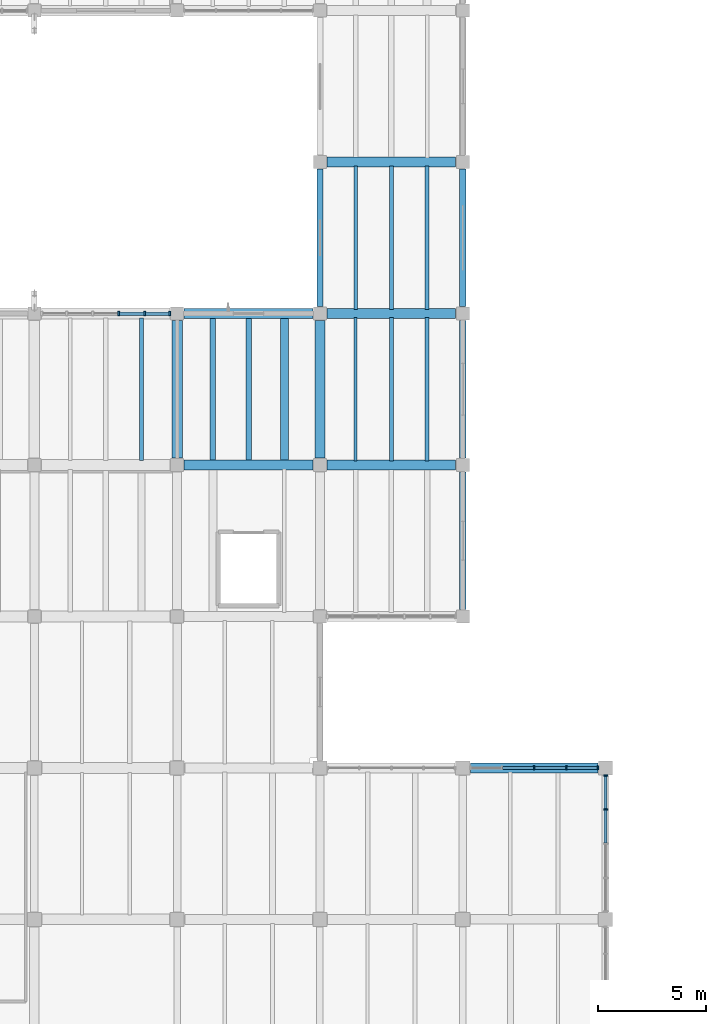
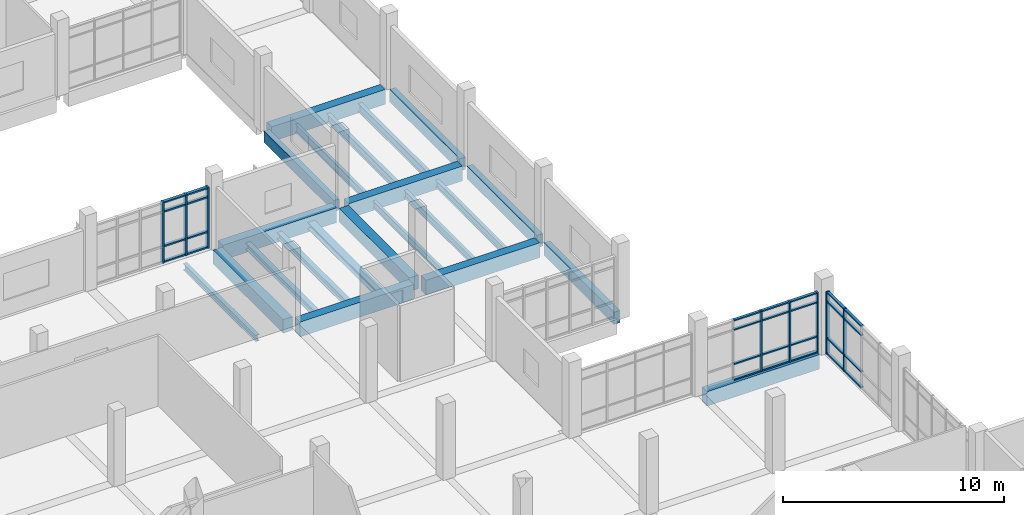
# One storey, part 21 of 68: 36 members, 22 beams, 3 elements without a shape of their own.
"""IFC4 building model written with IfcOpenShell, lengths in metres."""

from ifc_helpers import new_model, si_unit, direction, frame, origin, origin_2d, place, context, subcontext, project, spatial, rectangle, i_section, extrude, material, material_profile, profile_set, type_object, element, aggregate, save


model = new_model("IFC4")

# Units and contexts
model_context = context("Model", 3, precision=1e-05, world=origin(), true_north=direction((0.0, 1.0)))
body_context = subcontext(model_context, "Body", "Model", "MODEL_VIEW")
ifc_project = project(units=[si_unit("LENGTHUNIT", "METRE"), si_unit("AREAUNIT", "SQUARE_METRE"), si_unit("VOLUMEUNIT", "CUBIC_METRE"), si_unit("PLANEANGLEUNIT", "RADIAN"), si_unit("MASSUNIT", "GRAM", prefix="KILO")], contexts=[model_context])

# Site, building, storey
site_placement = place(None, origin())
site = spatial("IfcSite", under=ifc_project, at=site_placement, CompositionType="ELEMENT")
building_placement = place(site_placement, origin())
building = spatial("IfcBuilding", under=site, at=building_placement, Name="Ciguamira Faculty of Natural Sciences", CompositionType="ELEMENT")
storey_placement = place(building_placement, frame((0.0, 0.0, 4.199951171875)))
storey = spatial("IfcBuildingStorey", under=building, at=storey_placement, Name="L01", CompositionType="ELEMENT", Elevation=4.199951171875)

# Curtain wall, members
ifc_material_1 = material(Name="Anodized aluminium curtain wall", Category="aluminium")
curtain_wall_type_1 = type_object("IfcCurtainWallType", Name="CurtainWall_CW-11", PredefinedType="USERDEFINED", material=ifc_material_1)
curtain_wall_1_placement = place(storey_placement, origin())
curtain_wall_1 = element("IfcCurtainWall", 1, at=curtain_wall_1_placement, inside=storey, type_object=curtain_wall_type_1, Name="L01 unitised curtain wall 0035", ObjectType="UNITISED CURTAIN WALL", PredefinedType="USERDEFINED")
ifc_material_2 = material(Name="Anodized aluminium mullion", Category="aluminium")
ifc_material_profile_1 = material_profile(ifc_material_2, rectangle(XDim=0.070068359375, YDim=0.179931640625, at=origin_2d()), Name="ALU-MUL-70X180")
ifc_profile_set_1 = profile_set([ifc_material_profile_1], Name="Anodized aluminium mullion")
member_type_1 = type_object("IfcMemberType", Name="CWMullion_CWM-02", PredefinedType="MULLION", material=ifc_profile_set_1)
member_1_placement = place(storey_placement, frame((120.0, 38.0, 0.0), z_axis=(0.0, 0.0, 1.0), x_axis=(1.0, 0.0, 0.0)))
member_1 = element("IfcMember", 2, at=member_1_placement, type_object=member_type_1, Name="CW-11 mullion 3", PredefinedType="MULLION", context=body_context, shape_type="SweptSolid", body=[
    extrude(rectangle(XDim=0.070068359375, YDim=0.179931640625, at=origin_2d()), origin(), (0.0, 0.0, 1.0), 3.344970703125),
])
member_2_placement = place(storey_placement, frame((121.487548828125, 38.0, 0.0), z_axis=(0.0, 0.0, 1.0), x_axis=(1.0, 0.0, 0.0)))
member_2 = element("IfcMember", 3, at=member_2_placement, type_object=member_type_1, Name="CW-11 mullion 4", PredefinedType="MULLION", context=body_context, shape_type="SweptSolid", body=[
    extrude(rectangle(XDim=0.070068359375, YDim=0.179931640625, at=origin_2d()), origin(), (0.0, 0.0, 1.0), 3.344970703125),
])
member_3_placement = place(storey_placement, frame((122.93994140625, 38.0, 0.0), z_axis=(0.0, 0.0, 1.0), x_axis=(1.0, 0.0, 0.0)))
member_3 = element("IfcMember", 4, at=member_3_placement, type_object=member_type_1, Name="CW-11 mullion 5", PredefinedType="MULLION", context=body_context, shape_type="SweptSolid", body=[
    extrude(rectangle(XDim=0.070068359375, YDim=0.179931640625, at=origin_2d()), origin(), (0.0, 0.0, 1.0), 3.344970703125),
])

curtain_wall_type_2 = type_object("IfcCurtainWallType", Name="CurtainWall_CW-05", PredefinedType="USERDEFINED", material=ifc_material_1)
curtain_wall_2_placement = place(storey_placement, origin())
curtain_wall_2 = element("IfcCurtainWall", 5, at=curtain_wall_2_placement, inside=storey, type_object=curtain_wall_type_2, Name="L01 unitised curtain wall 0053", ObjectType="UNITISED CURTAIN WALL", PredefinedType="USERDEFINED")
member_4_placement = place(storey_placement, frame((123.300048828125, 36.08740234375, 0.0), z_axis=(0.0, 0.0, 1.0), x_axis=(0.0, 1.0, 0.0)))
member_4 = element("IfcMember", 6, at=member_4_placement, type_object=member_type_1, Name="CW-05 mullion 4", PredefinedType="MULLION", context=body_context, shape_type="SweptSolid", body=[
    extrude(rectangle(XDim=0.070068359375, YDim=0.179931640625, at=origin_2d()), origin(), (0.0, 0.0, 1.0), 3.465087890625),
])
member_5_placement = place(storey_placement, frame((123.300048828125, 37.639892578125, 0.0), z_axis=(0.0, 0.0, 1.0), x_axis=(0.0, 1.0, 0.0)))
member_5 = element("IfcMember", 7, at=member_5_placement, type_object=member_type_1, Name="CW-05 mullion 5", PredefinedType="MULLION", context=body_context, shape_type="SweptSolid", body=[
    extrude(rectangle(XDim=0.070068359375, YDim=0.179931640625, at=origin_2d()), origin(), (0.0, 0.0, 1.0), 3.465087890625),
])

curtain_wall_type_3 = type_object("IfcCurtainWallType", Name="CurtainWall_CW-03", PredefinedType="USERDEFINED", material=ifc_material_1)
curtain_wall_3_placement = place(storey_placement, origin())
curtain_wall_3 = element("IfcCurtainWall", 8, at=curtain_wall_3_placement, inside=storey, type_object=curtain_wall_type_3, Name="L01 unitised curtain wall 0039", ObjectType="UNITISED CURTAIN WALL", PredefinedType="USERDEFINED")
ifc_material_profile_2 = material_profile(ifc_material_2, rectangle(XDim=0.080078125, YDim=0.219970703125, at=origin_2d()), Name="ALU-MUL-80X220")
ifc_profile_set_2 = profile_set([ifc_material_profile_2], Name="Anodized aluminium mullion")
member_type_2 = type_object("IfcMemberType", Name="CWMullion_CWM-03", PredefinedType="MULLION", material=ifc_profile_set_2)
member_6_placement = place(storey_placement, frame((100.800048828125, 59.0, 0.0), z_axis=(0.0, 0.0, 1.0), x_axis=(1.0, 0.0, 0.0)))
member_6 = element("IfcMember", 9, at=member_6_placement, type_object=member_type_2, Name="CW-03 mullion 4", PredefinedType="MULLION", context=body_context, shape_type="SweptSolid", body=[
    extrude(rectangle(XDim=0.080078125, YDim=0.219970703125, at=origin_2d()), origin(), (0.0, 0.0, 1.0), 3.364990234375),
])
member_7_placement = place(storey_placement, frame((102.0, 59.0, 0.0), z_axis=(0.0, 0.0, 1.0), x_axis=(1.0, 0.0, 0.0)))
member_7 = element("IfcMember", 10, at=member_7_placement, type_object=member_type_2, Name="CW-03 mullion 5", PredefinedType="MULLION", context=body_context, shape_type="SweptSolid", body=[
    extrude(rectangle(XDim=0.080078125, YDim=0.219970703125, at=origin_2d()), origin(), (0.0, 0.0, 1.0), 3.364990234375),
])
member_8_placement = place(storey_placement, frame((103.159912109375, 59.0, 0.0), z_axis=(0.0, 0.0, 1.0), x_axis=(1.0, 0.0, 0.0)))
member_8 = element("IfcMember", 11, at=member_8_placement, type_object=member_type_2, Name="CW-03 mullion 6", PredefinedType="MULLION", context=body_context, shape_type="SweptSolid", body=[
    extrude(rectangle(XDim=0.080078125, YDim=0.219970703125, at=origin_2d()), origin(), (0.0, 0.0, 1.0), 3.364990234375),
])

# Member
ifc_material_3 = material(Name="Anodized aluminium transom", Category="aluminium")
ifc_material_profile_3 = material_profile(ifc_material_3, rectangle(XDim=0.070068359375, YDim=0.139892578125, at=origin_2d()), Name="ALU-TRN-70X140")
ifc_profile_set_3 = profile_set([ifc_material_profile_3], Name="Anodized aluminium transom")
member_type_3 = type_object("IfcMemberType", Name="CWTransom_CWT-02", PredefinedType="USERDEFINED", material=ifc_profile_set_3)
member_9_placement = place(storey_placement, frame((118.547607421875, 38.0, 0.03515625), z_axis=(1.0, 0.0, 0.0), x_axis=(0.0, 0.0, 1.0)))
member_9 = element("IfcMember", 12, at=member_9_placement, type_object=member_type_3, Name="CW-11 transom 2.1", ObjectType="TRANSOM", PredefinedType="USERDEFINED", context=body_context, shape_type="SweptSolid", body=[
    extrude(rectangle(XDim=0.070068359375, YDim=0.139892578125, at=origin_2d()), origin(), (0.0, 0.0, 1.0), 1.41748046875),
])

member_10_placement = place(storey_placement, frame((118.547607421875, 38.0, 0.900146484375), z_axis=(1.0, 0.0, 0.0), x_axis=(0.0, 0.0, 1.0)))
member_10 = element("IfcMember", 13, at=member_10_placement, type_object=member_type_3, Name="CW-11 transom 2.2", ObjectType="TRANSOM", PredefinedType="USERDEFINED", context=body_context, shape_type="SweptSolid", body=[
    extrude(rectangle(XDim=0.070068359375, YDim=0.139892578125, at=origin_2d()), origin(), (0.0, 0.0, 1.0), 1.41748046875),
])

member_11_placement = place(storey_placement, frame((118.547607421875, 38.0, 2.795166015625), z_axis=(1.0, 0.0, 0.0), x_axis=(0.0, 0.0, 1.0)))
member_11 = element("IfcMember", 14, at=member_11_placement, type_object=member_type_3, Name="CW-11 transom 2.3", ObjectType="TRANSOM", PredefinedType="USERDEFINED", context=body_context, shape_type="SweptSolid", body=[
    extrude(rectangle(XDim=0.070068359375, YDim=0.139892578125, at=origin_2d()), origin(), (0.0, 0.0, 1.0), 1.41748046875),
])

member_12_placement = place(storey_placement, frame((118.547607421875, 38.0, 3.31005859375), z_axis=(1.0, 0.0, 0.0), x_axis=(0.0, 0.0, 1.0)))
member_12 = element("IfcMember", 15, at=member_12_placement, type_object=member_type_3, Name="CW-11 transom 2.4", ObjectType="TRANSOM", PredefinedType="USERDEFINED", context=body_context, shape_type="SweptSolid", body=[
    extrude(rectangle(XDim=0.070068359375, YDim=0.139892578125, at=origin_2d()), origin(), (0.0, 0.0, 1.0), 1.41748046875),
])

member_13_placement = place(storey_placement, frame((120.034912109375, 38.0, 0.03515625), z_axis=(1.0, 0.0, 0.0), x_axis=(0.0, 0.0, 1.0)))
member_13 = element("IfcMember", 16, at=member_13_placement, type_object=member_type_3, Name="CW-11 transom 3.1", ObjectType="TRANSOM", PredefinedType="USERDEFINED", context=body_context, shape_type="SweptSolid", body=[
    extrude(rectangle(XDim=0.070068359375, YDim=0.139892578125, at=origin_2d()), origin(), (0.0, 0.0, 1.0), 1.41748046875),
])

member_14_placement = place(storey_placement, frame((120.034912109375, 38.0, 0.900146484375), z_axis=(1.0, 0.0, 0.0), x_axis=(0.0, 0.0, 1.0)))
member_14 = element("IfcMember", 17, at=member_14_placement, type_object=member_type_3, Name="CW-11 transom 3.2", ObjectType="TRANSOM", PredefinedType="USERDEFINED", context=body_context, shape_type="SweptSolid", body=[
    extrude(rectangle(XDim=0.070068359375, YDim=0.139892578125, at=origin_2d()), origin(), (0.0, 0.0, 1.0), 1.41748046875),
])

member_15_placement = place(storey_placement, frame((120.034912109375, 38.0, 2.795166015625), z_axis=(1.0, 0.0, 0.0), x_axis=(0.0, 0.0, 1.0)))
member_15 = element("IfcMember", 18, at=member_15_placement, type_object=member_type_3, Name="CW-11 transom 3.3", ObjectType="TRANSOM", PredefinedType="USERDEFINED", context=body_context, shape_type="SweptSolid", body=[
    extrude(rectangle(XDim=0.070068359375, YDim=0.139892578125, at=origin_2d()), origin(), (0.0, 0.0, 1.0), 1.41748046875),
])

member_16_placement = place(storey_placement, frame((120.034912109375, 38.0, 3.31005859375), z_axis=(1.0, 0.0, 0.0), x_axis=(0.0, 0.0, 1.0)))
member_16 = element("IfcMember", 19, at=member_16_placement, type_object=member_type_3, Name="CW-11 transom 3.4", ObjectType="TRANSOM", PredefinedType="USERDEFINED", context=body_context, shape_type="SweptSolid", body=[
    extrude(rectangle(XDim=0.070068359375, YDim=0.139892578125, at=origin_2d()), origin(), (0.0, 0.0, 1.0), 1.41748046875),
])

member_17_placement = place(storey_placement, frame((121.5224609375, 38.0, 0.03515625), z_axis=(1.0, 0.0, 0.0), x_axis=(0.0, 0.0, 1.0)))
member_17 = element("IfcMember", 20, at=member_17_placement, type_object=member_type_3, Name="CW-11 transom 4.1", ObjectType="TRANSOM", PredefinedType="USERDEFINED", context=body_context, shape_type="SweptSolid", body=[
    extrude(rectangle(XDim=0.070068359375, YDim=0.139892578125, at=origin_2d()), origin(), (0.0, 0.0, 1.0), 1.382568359375),
])

member_18_placement = place(storey_placement, frame((121.5224609375, 38.0, 0.900146484375), z_axis=(1.0, 0.0, 0.0), x_axis=(0.0, 0.0, 1.0)))
member_18 = element("IfcMember", 21, at=member_18_placement, type_object=member_type_3, Name="CW-11 transom 4.2", ObjectType="TRANSOM", PredefinedType="USERDEFINED", context=body_context, shape_type="SweptSolid", body=[
    extrude(rectangle(XDim=0.070068359375, YDim=0.139892578125, at=origin_2d()), origin(), (0.0, 0.0, 1.0), 1.382568359375),
])

member_19_placement = place(storey_placement, frame((121.5224609375, 38.0, 2.795166015625), z_axis=(1.0, 0.0, 0.0), x_axis=(0.0, 0.0, 1.0)))
member_19 = element("IfcMember", 22, at=member_19_placement, type_object=member_type_3, Name="CW-11 transom 4.3", ObjectType="TRANSOM", PredefinedType="USERDEFINED", context=body_context, shape_type="SweptSolid", body=[
    extrude(rectangle(XDim=0.070068359375, YDim=0.139892578125, at=origin_2d()), origin(), (0.0, 0.0, 1.0), 1.382568359375),
])

member_20_placement = place(storey_placement, frame((121.5224609375, 38.0, 3.31005859375), z_axis=(1.0, 0.0, 0.0), x_axis=(0.0, 0.0, 1.0)))
member_20 = element("IfcMember", 23, at=member_20_placement, type_object=member_type_3, Name="CW-11 transom 4.4", ObjectType="TRANSOM", PredefinedType="USERDEFINED", context=body_context, shape_type="SweptSolid", body=[
    extrude(rectangle(XDim=0.070068359375, YDim=0.139892578125, at=origin_2d()), origin(), (0.0, 0.0, 1.0), 1.382568359375),
])

aggregate(curtain_wall_1, [member_1, member_2, member_3, member_9, member_10, member_11, member_12, member_13, member_14, member_15, member_16, member_17, member_18, member_19, member_20])

member_21_placement = place(storey_placement, frame((123.300048828125, 34.534912109375, 0.03515625), z_axis=(0.0, 1.0, 0.0), x_axis=(0.0, 0.0, 1.0)))
member_21 = element("IfcMember", 24, at=member_21_placement, type_object=member_type_3, Name="CW-05 transom 3.1", ObjectType="TRANSOM", PredefinedType="USERDEFINED", context=body_context, shape_type="SweptSolid", body=[
    extrude(rectangle(XDim=0.070068359375, YDim=0.139892578125, at=origin_2d()), origin(), (0.0, 0.0, 1.0), 1.517578125),
])

member_22_placement = place(storey_placement, frame((123.300048828125, 34.534912109375, 0.900146484375), z_axis=(0.0, 1.0, 0.0), x_axis=(0.0, 0.0, 1.0)))
member_22 = element("IfcMember", 25, at=member_22_placement, type_object=member_type_3, Name="CW-05 transom 3.2", ObjectType="TRANSOM", PredefinedType="USERDEFINED", context=body_context, shape_type="SweptSolid", body=[
    extrude(rectangle(XDim=0.070068359375, YDim=0.139892578125, at=origin_2d()), origin(), (0.0, 0.0, 1.0), 1.517578125),
])

member_23_placement = place(storey_placement, frame((123.300048828125, 34.534912109375, 2.9150390625), z_axis=(0.0, 1.0, 0.0), x_axis=(0.0, 0.0, 1.0)))
member_23 = element("IfcMember", 26, at=member_23_placement, type_object=member_type_3, Name="CW-05 transom 3.3", ObjectType="TRANSOM", PredefinedType="USERDEFINED", context=body_context, shape_type="SweptSolid", body=[
    extrude(rectangle(XDim=0.070068359375, YDim=0.139892578125, at=origin_2d()), origin(), (0.0, 0.0, 1.0), 1.517578125),
])

member_24_placement = place(storey_placement, frame((123.300048828125, 34.534912109375, 3.429931640625), z_axis=(0.0, 1.0, 0.0), x_axis=(0.0, 0.0, 1.0)))
member_24 = element("IfcMember", 27, at=member_24_placement, type_object=member_type_3, Name="CW-05 transom 3.4", ObjectType="TRANSOM", PredefinedType="USERDEFINED", context=body_context, shape_type="SweptSolid", body=[
    extrude(rectangle(XDim=0.070068359375, YDim=0.139892578125, at=origin_2d()), origin(), (0.0, 0.0, 1.0), 1.517578125),
])

member_25_placement = place(storey_placement, frame((123.300048828125, 36.12255859375, 0.03515625), z_axis=(0.0, 1.0, 0.0), x_axis=(0.0, 0.0, 1.0)))
member_25 = element("IfcMember", 28, at=member_25_placement, type_object=member_type_3, Name="CW-05 transom 4.1", ObjectType="TRANSOM", PredefinedType="USERDEFINED", context=body_context, shape_type="SweptSolid", body=[
    extrude(rectangle(XDim=0.070068359375, YDim=0.139892578125, at=origin_2d()), origin(), (0.0, 0.0, 1.0), 1.482421875),
])

member_26_placement = place(storey_placement, frame((123.300048828125, 36.12255859375, 0.900146484375), z_axis=(0.0, 1.0, 0.0), x_axis=(0.0, 0.0, 1.0)))
member_26 = element("IfcMember", 29, at=member_26_placement, type_object=member_type_3, Name="CW-05 transom 4.2", ObjectType="TRANSOM", PredefinedType="USERDEFINED", context=body_context, shape_type="SweptSolid", body=[
    extrude(rectangle(XDim=0.070068359375, YDim=0.139892578125, at=origin_2d()), origin(), (0.0, 0.0, 1.0), 1.482421875),
])

member_27_placement = place(storey_placement, frame((123.300048828125, 36.12255859375, 2.9150390625), z_axis=(0.0, 1.0, 0.0), x_axis=(0.0, 0.0, 1.0)))
member_27 = element("IfcMember", 30, at=member_27_placement, type_object=member_type_3, Name="CW-05 transom 4.3", ObjectType="TRANSOM", PredefinedType="USERDEFINED", context=body_context, shape_type="SweptSolid", body=[
    extrude(rectangle(XDim=0.070068359375, YDim=0.139892578125, at=origin_2d()), origin(), (0.0, 0.0, 1.0), 1.482421875),
])

member_28_placement = place(storey_placement, frame((123.300048828125, 36.12255859375, 3.429931640625), z_axis=(0.0, 1.0, 0.0), x_axis=(0.0, 0.0, 1.0)))
member_28 = element("IfcMember", 31, at=member_28_placement, type_object=member_type_3, Name="CW-05 transom 4.4", ObjectType="TRANSOM", PredefinedType="USERDEFINED", context=body_context, shape_type="SweptSolid", body=[
    extrude(rectangle(XDim=0.070068359375, YDim=0.139892578125, at=origin_2d()), origin(), (0.0, 0.0, 1.0), 1.482421875),
])

aggregate(curtain_wall_2, [member_4, member_5, member_21, member_22, member_23, member_24, member_25, member_26, member_27, member_28])

ifc_material_profile_4 = material_profile(ifc_material_3, rectangle(XDim=0.080078125, YDim=0.159912109375, at=origin_2d()), Name="ALU-TRN-80X160")
ifc_profile_set_4 = profile_set([ifc_material_profile_4], Name="Anodized aluminium transom")
member_type_4 = type_object("IfcMemberType", Name="CWTransom_CWT-03", PredefinedType="USERDEFINED", material=ifc_profile_set_4)
member_29_placement = place(storey_placement, frame((100.840087890625, 59.0, 0.0400390625), z_axis=(1.0, 0.0, 0.0), x_axis=(0.0, 0.0, 1.0)))
member_29 = element("IfcMember", 32, at=member_29_placement, type_object=member_type_4, Name="CW-03 transom 4.1", ObjectType="TRANSOM", PredefinedType="USERDEFINED", context=body_context, shape_type="SweptSolid", body=[
    extrude(rectangle(XDim=0.080078125, YDim=0.159912109375, at=origin_2d()), origin(), (0.0, 0.0, 1.0), 1.119873046875),
])

member_30_placement = place(storey_placement, frame((100.840087890625, 59.0, 0.900146484375), z_axis=(1.0, 0.0, 0.0), x_axis=(0.0, 0.0, 1.0)))
member_30 = element("IfcMember", 33, at=member_30_placement, type_object=member_type_4, Name="CW-03 transom 4.2", ObjectType="TRANSOM", PredefinedType="USERDEFINED", context=body_context, shape_type="SweptSolid", body=[
    extrude(rectangle(XDim=0.080078125, YDim=0.159912109375, at=origin_2d()), origin(), (0.0, 0.0, 1.0), 1.119873046875),
])

member_31_placement = place(storey_placement, frame((100.840087890625, 59.0, 2.81494140625), z_axis=(1.0, 0.0, 0.0), x_axis=(0.0, 0.0, 1.0)))
member_31 = element("IfcMember", 34, at=member_31_placement, type_object=member_type_4, Name="CW-03 transom 4.3", ObjectType="TRANSOM", PredefinedType="USERDEFINED", context=body_context, shape_type="SweptSolid", body=[
    extrude(rectangle(XDim=0.080078125, YDim=0.159912109375, at=origin_2d()), origin(), (0.0, 0.0, 1.0), 1.119873046875),
])

member_32_placement = place(storey_placement, frame((100.840087890625, 59.0, 3.324951171875), z_axis=(1.0, 0.0, 0.0), x_axis=(0.0, 0.0, 1.0)))
member_32 = element("IfcMember", 35, at=member_32_placement, type_object=member_type_4, Name="CW-03 transom 4.4", ObjectType="TRANSOM", PredefinedType="USERDEFINED", context=body_context, shape_type="SweptSolid", body=[
    extrude(rectangle(XDim=0.080078125, YDim=0.159912109375, at=origin_2d()), origin(), (0.0, 0.0, 1.0), 1.119873046875),
])

member_33_placement = place(storey_placement, frame((102.0400390625, 59.0, 0.0400390625), z_axis=(1.0, 0.0, 0.0), x_axis=(0.0, 0.0, 1.0)))
member_33 = element("IfcMember", 36, at=member_33_placement, type_object=member_type_4, Name="CW-03 transom 5.1", ObjectType="TRANSOM", PredefinedType="USERDEFINED", context=body_context, shape_type="SweptSolid", body=[
    extrude(rectangle(XDim=0.080078125, YDim=0.159912109375, at=origin_2d()), origin(), (0.0, 0.0, 1.0), 1.080078125),
])

member_34_placement = place(storey_placement, frame((102.0400390625, 59.0, 0.900146484375), z_axis=(1.0, 0.0, 0.0), x_axis=(0.0, 0.0, 1.0)))
member_34 = element("IfcMember", 37, at=member_34_placement, type_object=member_type_4, Name="CW-03 transom 5.2", ObjectType="TRANSOM", PredefinedType="USERDEFINED", context=body_context, shape_type="SweptSolid", body=[
    extrude(rectangle(XDim=0.080078125, YDim=0.159912109375, at=origin_2d()), origin(), (0.0, 0.0, 1.0), 1.080078125),
])

member_35_placement = place(storey_placement, frame((102.0400390625, 59.0, 2.81494140625), z_axis=(1.0, 0.0, 0.0), x_axis=(0.0, 0.0, 1.0)))
member_35 = element("IfcMember", 38, at=member_35_placement, type_object=member_type_4, Name="CW-03 transom 5.3", ObjectType="TRANSOM", PredefinedType="USERDEFINED", context=body_context, shape_type="SweptSolid", body=[
    extrude(rectangle(XDim=0.080078125, YDim=0.159912109375, at=origin_2d()), origin(), (0.0, 0.0, 1.0), 1.080078125),
])

member_36_placement = place(storey_placement, frame((102.0400390625, 59.0, 3.324951171875), z_axis=(1.0, 0.0, 0.0), x_axis=(0.0, 0.0, 1.0)))
member_36 = element("IfcMember", 39, at=member_36_placement, type_object=member_type_4, Name="CW-03 transom 5.4", ObjectType="TRANSOM", PredefinedType="USERDEFINED", context=body_context, shape_type="SweptSolid", body=[
    extrude(rectangle(XDim=0.080078125, YDim=0.159912109375, at=origin_2d()), origin(), (0.0, 0.0, 1.0), 1.080078125),
])

aggregate(curtain_wall_3, [member_6, member_7, member_8, member_29, member_30, member_31, member_32, member_33, member_34, member_35, member_36])

# Beams
ifc_material_4 = material(Name="Concrete C40/50", Category="concrete")
ifc_material_profile_5 = material_profile(ifc_material_4, rectangle(XDim=0.4599609375, YDim=0.820068359375, at=origin_2d()), Name="RC-BM-460X820")
ifc_profile_set_5 = profile_set([ifc_material_profile_5], Name="Concrete C40/50")
beam_type_1 = type_object("IfcBeamType", Name="RCBeam_BG-04_RC-BM-460X820", PredefinedType="BEAM", material=ifc_profile_set_5)
for number, where, z_axis, x_axis, name in (
    (40, (103.824951171875, 52.0, -0.409912109375), (1.0, 0.0, 0.0), (0.0, 1.0, 0.0), "L01 RC girder EW-0473"),
    (41, (110.425048828125, 52.0, -0.409912109375), (1.0, 0.0, 0.0), (0.0, 1.0, 0.0), "L01 RC girder EW-0474"),
    (42, (103.824951171875, 59.0, -0.409912109375), (1.0, 0.0, 0.0), (0.0, 1.0, 0.0), "L01 RC girder EW-0482"),
    (43, (110.425048828125, 59.0, -0.409912109375), (1.0, 0.0, 0.0), (0.0, 1.0, 0.0), "L01 RC girder EW-0483"),
    (44, (110.425048828125, 66.0, -0.409912109375), (1.0, 0.0, 0.0), (0.0, 1.0, 0.0), "L01 RC girder EW-0485"),
):
    element("IfcBeam", number, at=place(storey_placement, frame(where, z_axis=z_axis, x_axis=x_axis)), inside=storey, type_object=beam_type_1, Name=name, PredefinedType="BEAM", context=body_context, shape_type="SweptSolid", body=[
        extrude(rectangle(XDim=0.4599609375, YDim=0.820068359375, at=origin_2d()), origin(), (0.0, 0.0, 1.0), 5.949951171875),
    ])
ifc_material_profile_6 = material_profile(ifc_material_4, rectangle(XDim=0.449951171875, YDim=0.800048828125, at=origin_2d()), Name="RC-BM-450X800")
ifc_profile_set_6 = profile_set([ifc_material_profile_6], Name="Concrete C40/50")
beam_type_2 = type_object("IfcBeamType", Name="RCBeam_BG-05_RC-BM-450X800", PredefinedType="BEAM", material=ifc_profile_set_6)
beam_1_placement = place(storey_placement, frame((117.050048828125, 38.0, -0.39990234375), z_axis=(1.0, 0.0, 0.0), x_axis=(0.0, 1.0, 0.0)))
element("IfcBeam", 45, at=beam_1_placement, inside=storey, type_object=beam_type_2, Name="L01 RC girder EW-0456", PredefinedType="BEAM", context=body_context, shape_type="SweptSolid", body=[
    extrude(rectangle(XDim=0.449951171875, YDim=0.800048828125, at=origin_2d()), origin(), (0.0, 0.0, 1.0), 5.89990234375),
])
ifc_material_5 = material(Name="Precast concrete C40/50", Category="concrete")
ifc_material_profile_7 = material_profile(ifc_material_5, rectangle(XDim=0.280029296875, YDim=0.6201171875, at=origin_2d()), Name="RC-SP-280X620")
ifc_profile_set_7 = profile_set([ifc_material_profile_7], Name="Precast concrete C40/50")
beam_type_3 = type_object("IfcBeamType", Name="RCBeam_SP-01_RC-SP-280X620", PredefinedType="SPANDREL", material=ifc_profile_set_7)
beam_2_placement = place(storey_placement, frame((110.10009765625, 59.324951171875, -0.31005859375), z_axis=(0.0, 1.0, 0.0), x_axis=(-1.0, 0.0, 0.0)))
element("IfcBeam", 46, at=beam_2_placement, inside=storey, type_object=beam_type_3, Name="L01 girder NS-0670", PredefinedType="SPANDREL", context=body_context, shape_type="SweptSolid", body=[
    extrude(rectangle(XDim=0.280029296875, YDim=0.6201171875, at=origin_2d()), origin(), (0.0, 0.0, 1.0), 6.35009765625),
])
ifc_material_profile_8 = material_profile(ifc_material_5, rectangle(XDim=0.320068359375, YDim=0.679931640625, at=origin_2d()), Name="RC-SP-320X680")
ifc_profile_set_8 = profile_set([ifc_material_profile_8], Name="Precast concrete C40/50")
beam_type_4 = type_object("IfcBeamType", Name="RCBeam_SP-02_RC-SP-320X680", PredefinedType="SPANDREL", material=ifc_profile_set_8)
for number, where, z_axis, x_axis, name in (
    (47, (116.699951171875, 45.324951171875, -0.33984375), (0.0, 1.0, 0.0), (-1.0, 0.0, 0.0), "L01 girder NS-0680"),
    (48, (116.699951171875, 52.324951171875, -0.33984375), (0.0, 1.0, 0.0), (-1.0, 0.0, 0.0), "L01 girder NS-0681"),
    (49, (116.699951171875, 59.324951171875, -0.33984375), (0.0, 1.0, 0.0), (-1.0, 0.0, 0.0), "L01 girder NS-0682"),
):
    element("IfcBeam", number, at=place(storey_placement, frame(where, z_axis=z_axis, x_axis=x_axis)), inside=storey, type_object=beam_type_4, Name=name, PredefinedType="SPANDREL", context=body_context, shape_type="SweptSolid", body=[
        extrude(rectangle(XDim=0.320068359375, YDim=0.679931640625, at=origin_2d()), origin(), (0.0, 0.0, 1.0), 6.35009765625),
    ])
ifc_material_profile_9 = material_profile(ifc_material_4, rectangle(XDim=0.47998046875, YDim=0.760009765625, at=origin_2d()), Name="RC-TB-480X760")
ifc_profile_set_9 = profile_set([ifc_material_profile_9], Name="Concrete C40/50")
beam_type_5 = type_object("IfcBeamType", Name="RCBeam_TB-01_RC-TB-480X760", PredefinedType="T_BEAM", material=ifc_profile_set_9)
for number, where, z_axis, x_axis, name in (
    (50, (103.5, 52.324951171875, -0.3798828125), (0.0, 1.0, 0.0), (-1.0, 0.0, 0.0), "L01 girder NS-0659"),
    (51, (110.10009765625, 52.324951171875, -0.3798828125), (0.0, 1.0, 0.0), (-1.0, 0.0, 0.0), "L01 girder NS-0669"),
):
    element("IfcBeam", number, at=place(storey_placement, frame(where, z_axis=z_axis, x_axis=x_axis)), inside=storey, type_object=beam_type_5, Name=name, PredefinedType="T_BEAM", context=body_context, shape_type="SweptSolid", body=[
        extrude(rectangle(XDim=0.47998046875, YDim=0.760009765625, at=origin_2d()), origin(), (0.0, 0.0, 1.0), 6.35009765625),
    ])
ifc_material_6 = material(Name="Steel ASTM A992 Grade 50", Category="steel")
ifc_material_profile_10 = material_profile(ifc_material_6, i_section(OverallWidth=0.204833984375, OverallDepth=0.35302734375, WebThickness=0.00927734375, FlangeThickness=0.016845703125, at=origin_2d()), Name="W14X53")
ifc_profile_set_10 = profile_set([ifc_material_profile_10], Name="Steel ASTM A992 Grade 50")
beam_type_6 = type_object("IfcBeamType", Name="SteelJoist_SJ-13_W14X53", PredefinedType="JOIST", material=ifc_profile_set_10)
beam_3_placement = place(storey_placement, frame((101.85009765625, 52.2099609375, -0.45654296875), z_axis=(0.0, 1.0, 0.0), x_axis=(-1.0, 0.0, 0.0)))
element("IfcBeam", 52, at=beam_3_placement, inside=storey, type_object=beam_type_6, Name="L01 composite steel joist 00556", PredefinedType="JOIST", context=body_context, shape_type="SweptSolid", body=[
    extrude(i_section(OverallWidth=0.204833984375, OverallDepth=0.35302734375, WebThickness=0.00927734375, FlangeThickness=0.016845703125, at=origin_2d()), origin(), (0.0, 0.0, 1.0), 6.580078125),
])
ifc_material_profile_11 = material_profile(ifc_material_6, i_section(OverallWidth=0.25390625, OverallDepth=0.355712890625, WebThickness=0.010498046875, FlangeThickness=0.018310546875, at=origin_2d()), Name="W14X68")
ifc_profile_set_11 = profile_set([ifc_material_profile_11], Name="Steel ASTM A992 Grade 50")
beam_type_7 = type_object("IfcBeamType", Name="SteelJoist_SJ-14_W14X68", PredefinedType="JOIST", material=ifc_profile_set_11)
beam_4_placement = place(storey_placement, frame((105.14990234375, 52.18994140625, -0.457763671875), z_axis=(0.0, 1.0, 0.0), x_axis=(-1.0, 0.0, 0.0)))
element("IfcBeam", 53, at=beam_4_placement, inside=storey, type_object=beam_type_7, Name="L01 composite steel joist 00582", PredefinedType="JOIST", context=body_context, shape_type="SweptSolid", body=[
    extrude(i_section(OverallWidth=0.25390625, OverallDepth=0.355712890625, WebThickness=0.010498046875, FlangeThickness=0.018310546875, at=origin_2d()), origin(), (0.0, 0.0, 1.0), 6.6201171875),
])
ifc_material_profile_12 = material_profile(ifc_material_6, i_section(OverallWidth=0.256591796875, OverallDepth=0.36328125, WebThickness=0.012939453125, FlangeThickness=0.021728515625, at=origin_2d()), Name="W14X82")
ifc_profile_set_12 = profile_set([ifc_material_profile_12], Name="Steel ASTM A992 Grade 50")
beam_type_8 = type_object("IfcBeamType", Name="SteelJoist_SJ-15_W14X82", PredefinedType="JOIST", material=ifc_profile_set_12)
beam_5_placement = place(storey_placement, frame((106.800048828125, 52.18994140625, -0.461669921875), z_axis=(0.0, 1.0, 0.0), x_axis=(-1.0, 0.0, 0.0)))
element("IfcBeam", 54, at=beam_5_placement, inside=storey, type_object=beam_type_8, Name="L01 composite steel joist 00583", PredefinedType="JOIST", context=body_context, shape_type="SweptSolid", body=[
    extrude(i_section(OverallWidth=0.256591796875, OverallDepth=0.36328125, WebThickness=0.012939453125, FlangeThickness=0.021728515625, at=origin_2d()), origin(), (0.0, 0.0, 1.0), 6.6201171875),
])
ifc_material_profile_13 = material_profile(ifc_material_6, i_section(OverallWidth=0.368408203125, OverallDepth=0.355712890625, WebThickness=0.01123046875, FlangeThickness=0.01806640625, at=origin_2d()), Name="W14X90")
ifc_profile_set_13 = profile_set([ifc_material_profile_13], Name="Steel ASTM A992 Grade 50")
beam_type_9 = type_object("IfcBeamType", Name="SteelJoist_SJ-16_W14X90", PredefinedType="JOIST", material=ifc_profile_set_13)
beam_6_placement = place(storey_placement, frame((108.449951171875, 52.18994140625, -0.457763671875), z_axis=(0.0, 1.0, 0.0), x_axis=(-1.0, 0.0, 0.0)))
element("IfcBeam", 55, at=beam_6_placement, inside=storey, type_object=beam_type_9, Name="L01 composite steel joist 00584", PredefinedType="JOIST", context=body_context, shape_type="SweptSolid", body=[
    extrude(i_section(OverallWidth=0.368408203125, OverallDepth=0.355712890625, WebThickness=0.01123046875, FlangeThickness=0.01806640625, at=origin_2d()), origin(), (0.0, 0.0, 1.0), 6.6201171875),
])
ifc_material_profile_14 = material_profile(ifc_material_6, i_section(OverallWidth=0.140380859375, OverallDepth=0.40380859375, WebThickness=0.007080078125, FlangeThickness=0.01123046875, at=origin_2d()), Name="W16X31")
ifc_profile_set_14 = profile_set([ifc_material_profile_14], Name="Steel ASTM A992 Grade 50")
beam_type_10 = type_object("IfcBeamType", Name="SteelJoist_SJ-17_W16X31", PredefinedType="JOIST", material=ifc_profile_set_14)
beam_7_placement = place(storey_placement, frame((111.75, 52.18994140625, -0.48193359375), z_axis=(0.0, 1.0, 0.0), x_axis=(-1.0, 0.0, 0.0)))
element("IfcBeam", 56, at=beam_7_placement, inside=storey, type_object=beam_type_10, Name="L01 composite steel joist 00606", PredefinedType="JOIST", context=body_context, shape_type="SweptSolid", body=[
    extrude(i_section(OverallWidth=0.140380859375, OverallDepth=0.40380859375, WebThickness=0.007080078125, FlangeThickness=0.01123046875, at=origin_2d()), origin(), (0.0, 0.0, 1.0), 6.6201171875),
])
ifc_material_profile_15 = material_profile(ifc_material_6, i_section(OverallWidth=0.177490234375, OverallDepth=0.40380859375, WebThickness=0.007568359375, FlangeThickness=0.010986328125, at=origin_2d()), Name="W16X36")
ifc_profile_set_15 = profile_set([ifc_material_profile_15], Name="Steel ASTM A992 Grade 50")
beam_type_11 = type_object("IfcBeamType", Name="SteelJoist_SJ-18_W16X36", PredefinedType="JOIST", material=ifc_profile_set_15)
beam_8_placement = place(storey_placement, frame((113.39990234375, 52.18994140625, -0.48193359375), z_axis=(0.0, 1.0, 0.0), x_axis=(-1.0, 0.0, 0.0)))
element("IfcBeam", 57, at=beam_8_placement, inside=storey, type_object=beam_type_11, Name="L01 composite steel joist 00607", PredefinedType="JOIST", context=body_context, shape_type="SweptSolid", body=[
    extrude(i_section(OverallWidth=0.177490234375, OverallDepth=0.40380859375, WebThickness=0.007568359375, FlangeThickness=0.010986328125, at=origin_2d()), origin(), (0.0, 0.0, 1.0), 6.6201171875),
])
ifc_material_profile_16 = material_profile(ifc_material_6, i_section(OverallWidth=0.1787109375, OverallDepth=0.408935546875, WebThickness=0.0087890625, FlangeThickness=0.014404296875, at=origin_2d()), Name="W16X45")
ifc_profile_set_16 = profile_set([ifc_material_profile_16], Name="Steel ASTM A992 Grade 50")
beam_type_12 = type_object("IfcBeamType", Name="SteelJoist_SJ-19_W16X45", PredefinedType="JOIST", material=ifc_profile_set_16)
beam_9_placement = place(storey_placement, frame((115.050048828125, 52.18994140625, -0.484375), z_axis=(0.0, 1.0, 0.0), x_axis=(-1.0, 0.0, 0.0)))
element("IfcBeam", 58, at=beam_9_placement, inside=storey, type_object=beam_type_12, Name="L01 composite steel joist 00608", PredefinedType="JOIST", context=body_context, shape_type="SweptSolid", body=[
    extrude(i_section(OverallWidth=0.1787109375, OverallDepth=0.408935546875, WebThickness=0.0087890625, FlangeThickness=0.014404296875, at=origin_2d()), origin(), (0.0, 0.0, 1.0), 6.6201171875),
])
ifc_material_profile_17 = material_profile(ifc_material_6, i_section(OverallWidth=0.15283203125, OverallDepth=0.45458984375, WebThickness=0.008056640625, FlangeThickness=0.013427734375, at=origin_2d()), Name="W18X40")
ifc_profile_set_17 = profile_set([ifc_material_profile_17], Name="Steel ASTM A992 Grade 50")
beam_type_13 = type_object("IfcBeamType", Name="SteelJoist_SJ-22_W18X40", PredefinedType="JOIST", material=ifc_profile_set_17)
beam_10_placement = place(storey_placement, frame((111.75, 59.18994140625, -0.50732421875), z_axis=(0.0, 1.0, 0.0), x_axis=(-1.0, 0.0, 0.0)))
element("IfcBeam", 59, at=beam_10_placement, inside=storey, type_object=beam_type_13, Name="L01 composite steel joist 00609", PredefinedType="JOIST", context=body_context, shape_type="SweptSolid", body=[
    extrude(i_section(OverallWidth=0.15283203125, OverallDepth=0.45458984375, WebThickness=0.008056640625, FlangeThickness=0.013427734375, at=origin_2d()), origin(), (0.0, 0.0, 1.0), 6.6201171875),
])
ifc_material_profile_18 = material_profile(ifc_material_6, i_section(OverallWidth=0.1904296875, OverallDepth=0.457275390625, WebThickness=0.009033203125, FlangeThickness=0.014404296875, at=origin_2d()), Name="W18X50")
ifc_profile_set_18 = profile_set([ifc_material_profile_18], Name="Steel ASTM A992 Grade 50")
beam_type_14 = type_object("IfcBeamType", Name="SteelJoist_SJ-23_W18X50", PredefinedType="JOIST", material=ifc_profile_set_18)
beam_11_placement = place(storey_placement, frame((113.39990234375, 59.18994140625, -0.508544921875), z_axis=(0.0, 1.0, 0.0), x_axis=(-1.0, 0.0, 0.0)))
element("IfcBeam", 60, at=beam_11_placement, inside=storey, type_object=beam_type_14, Name="L01 composite steel joist 00610", PredefinedType="JOIST", context=body_context, shape_type="SweptSolid", body=[
    extrude(i_section(OverallWidth=0.1904296875, OverallDepth=0.457275390625, WebThickness=0.009033203125, FlangeThickness=0.014404296875, at=origin_2d()), origin(), (0.0, 0.0, 1.0), 6.6201171875),
])
ifc_material_profile_19 = material_profile(ifc_material_6, i_section(OverallWidth=0.19287109375, OverallDepth=0.46728515625, WebThickness=0.011474609375, FlangeThickness=0.01904296875, at=origin_2d()), Name="W18X65")
ifc_profile_set_19 = profile_set([ifc_material_profile_19], Name="Steel ASTM A992 Grade 50")
beam_type_15 = type_object("IfcBeamType", Name="SteelJoist_SJ-24_W18X65", PredefinedType="JOIST", material=ifc_profile_set_19)
beam_12_placement = place(storey_placement, frame((115.050048828125, 59.18994140625, -0.513671875), z_axis=(0.0, 1.0, 0.0), x_axis=(-1.0, 0.0, 0.0)))
element("IfcBeam", 61, at=beam_12_placement, inside=storey, type_object=beam_type_15, Name="L01 composite steel joist 00611", PredefinedType="JOIST", context=body_context, shape_type="SweptSolid", body=[
    extrude(i_section(OverallWidth=0.19287109375, OverallDepth=0.46728515625, WebThickness=0.011474609375, FlangeThickness=0.01904296875, at=origin_2d()), origin(), (0.0, 0.0, 1.0), 6.6201171875),
])

save(model, "model.ifc")
